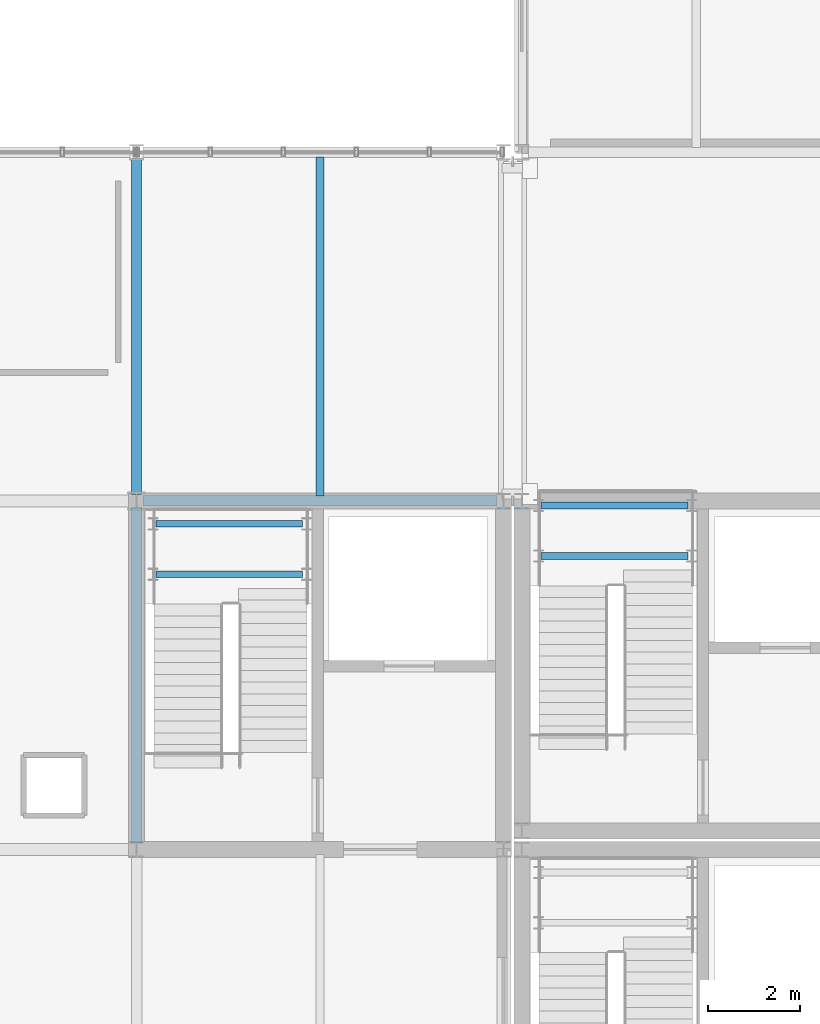
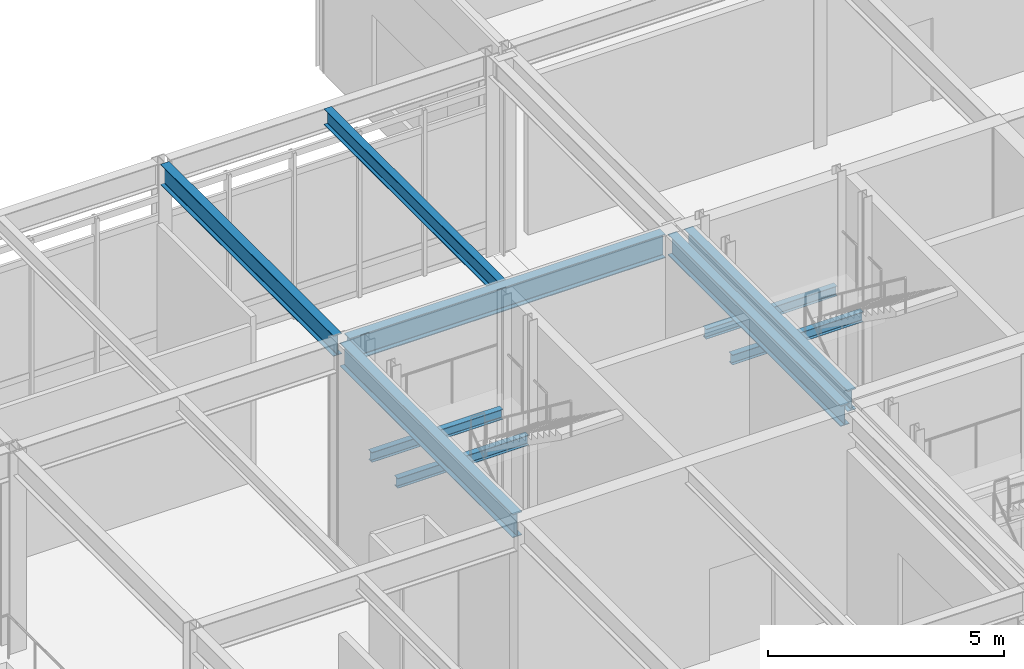
# One storey, part 47 of 94: 10 beams.
"""IFC4 building model written with IfcOpenShell, lengths in metres."""

import ifcopenshell
import ifcopenshell.guid

model = None  # the IFC model being written
_history = None  # IfcOwnerHistory: only IFC2X3 demands one
_inside = {}  # id of a spatial element -> (the spatial element, [elements in it])
_under = {}  # id of a project, library or spatial element -> (it, [spatial elements below it])
_declared = {}  # id of a project -> (the project, [libraries it declares])
_typed = {}  # id of a type object -> (the type object, [elements of that type])
_made_of = {}  # id of a material, layer set ... -> (it, [elements and type objects made of it])


def new_model(schema):
    """Start an empty IFC model of exactly this schema.

    Asked for "IFC4X3", IfcOpenShell would pick the latest addendum, in which some entities
    have other attributes; the version numbers below select the first issue.
    IFC2X3 requires an IfcOwnerHistory on every rooted entity: one is made here for all.
    """
    global model, _history
    if schema == "IFC4X3":
        model = ifcopenshell.file(schema_version=(4, 3, 0, 0))
    else:
        model = ifcopenshell.file(schema=schema)
    _inside.clear()
    _under.clear()
    _declared.clear()
    _typed.clear()
    _made_of.clear()
    _history = None
    if model.schema == "IFC2X3":
        org = make("IfcOrganization", Name="unknown")
        user = make(
            "IfcPersonAndOrganization",
            ThePerson=make("IfcPerson", FamilyName="unknown"),
            TheOrganization=org,
        )
        app = make(
            "IfcApplication",
            ApplicationDeveloper=org,
            Version="unknown",
            ApplicationFullName="unknown",
            ApplicationIdentifier="unknown",
        )
        _history = make(
            "IfcOwnerHistory",
            OwningUser=user,
            OwningApplication=app,
            ChangeAction="ADDED",
            CreationDate=0,
        )
    return model


def make(cls, **values):
    """One entity of the class cls with the attributes given. An attribute that is None is left unset."""
    return model.create_entity(
        cls, **{name: value for name, value in values.items() if value is not None}
    )


def rooted(cls, **values):
    """An entity with a GlobalId (a new one), such as an element, a storey or a relation."""
    return make(cls, GlobalId=ifcopenshell.guid.new(), OwnerHistory=_history, **values)


def si_unit(unit_type, name, prefix=None):
    """IfcSIUnit, for example si_unit("LENGTHUNIT", "METRE", prefix="MILLI")."""
    return make("IfcSIUnit", UnitType=unit_type, Prefix=prefix, Name=name)


def assignment(units):
    """IfcUnitAssignment: the units of a project."""
    return None if units is None else make("IfcUnitAssignment", Units=units)


def point(xyz):
    """IfcCartesianPoint."""
    return None if xyz is None else make("IfcCartesianPoint", Coordinates=xyz)


def direction(xyz):
    """IfcDirection."""
    return None if xyz is None else make("IfcDirection", DirectionRatios=xyz)


def frame(location, z_axis=None, x_axis=None):
    """IfcAxis2Placement3D, a coordinate frame: its origin and axes. An axis left out is left unset."""
    return make(
        "IfcAxis2Placement3D",
        Location=point(location),
        Axis=direction(z_axis),
        RefDirection=direction(x_axis),
    )


def frame_2d(location, x_axis=None):
    """IfcAxis2Placement2D, a coordinate frame in the plane: its origin and x axis."""
    return make(
        "IfcAxis2Placement2D", Location=point(location), RefDirection=direction(x_axis)
    )


def origin():
    """The frame at (0, 0, 0) with its axes left unset."""
    return frame((0.0, 0.0, 0.0))


def origin_2d():
    """The frame at (0, 0) in the plane with its x axis left unset."""
    return frame_2d((0.0, 0.0))


def place(relative_to, where):
    """IfcLocalPlacement: puts the frame where relative to a parent placement (None: the world)."""
    return make(
        "IfcLocalPlacement", PlacementRelTo=relative_to, RelativePlacement=where
    )


def context(
    kind, dimensions, precision=None, world=None, true_north=None, identifier=None
):
    """IfcGeometricRepresentationContext, for example the 3D "Model" context."""
    return make(
        "IfcGeometricRepresentationContext",
        ContextIdentifier=identifier,
        ContextType=kind,
        CoordinateSpaceDimension=dimensions,
        Precision=precision,
        WorldCoordinateSystem=world,
        TrueNorth=true_north,
    )


def subcontext(parent, identifier, kind, view, scale=None):
    """IfcGeometricRepresentationSubContext, for example "Body" below "Model"."""
    return make(
        "IfcGeometricRepresentationSubContext",
        ContextIdentifier=identifier,
        ContextType=kind,
        ParentContext=parent,
        TargetScale=scale,
        TargetView=view,
    )


def project(units=None, contexts=None):
    """IfcProject with its units and contexts."""
    return rooted(
        "IfcProject",
        Name="project",
        RepresentationContexts=contexts,
        UnitsInContext=assignment(units),
    )


def spatial(cls, under=None, at=None, **own):
    """A site, building, storey or space (cls), placed at a placement, below another one or the project."""
    s = rooted(cls, ObjectPlacement=at, **own)
    if under is not None:
        _under.setdefault(under.id(), (under, []))[1].append(s)
    return s


def profile(cls, at=None, kind="AREA", **sizes):
    """A parametric profile (cls). Its sizes go by their IFC names, for example OverallWidth=200.0."""
    return make(cls, ProfileType=kind, Position=at, **sizes)


def i_section(**sizes):
    """IfcIShapeProfileDef."""
    return profile("IfcIShapeProfileDef", **sizes)


def extrude(swept, where, along, depth):
    """IfcExtrudedAreaSolid: the profile swept, set in the frame where, extruded along a direction by depth."""
    return make(
        "IfcExtrudedAreaSolid",
        SweptArea=swept,
        Position=where,
        ExtrudedDirection=direction(along),
        Depth=depth,
    )


def shape(context_of_items, identifier, shape_type, items):
    """IfcShapeRepresentation: the items that make up one representation, for example the "Body"."""
    return make(
        "IfcShapeRepresentation",
        ContextOfItems=context_of_items,
        RepresentationIdentifier=identifier,
        RepresentationType=shape_type,
        Items=items,
    )


def material(Name=None, Category=None):
    """IfcMaterial."""
    return make("IfcMaterial", Name=Name, Category=Category)


def material_profile(
    of_material, cross_section, Name=None, Category=None, Priority=None
):
    """IfcMaterialProfile: a cross section and its material."""
    return make(
        "IfcMaterialProfile",
        Name=Name,
        Material=of_material,
        Profile=cross_section,
        Priority=Priority,
        Category=Category,
    )


def profile_set(profiles, Name=None, composite=None):
    """IfcMaterialProfileSet."""
    return make(
        "IfcMaterialProfileSet",
        Name=Name,
        MaterialProfiles=profiles,
        CompositeProfile=composite,
    )


def made_of(thing, what):
    """Note that an element or type object is made of a material, layer set ...; save() writes the relation."""
    if what is not None:
        _made_of.setdefault(what.id(), (what, []))[1].append(thing)
    return thing


def type_object(cls, material=None, **own):
    """A type object (cls), such as IfcWallType, which elements share."""
    return made_of(rooted(cls, **own), material)


def element(
    cls,
    number,
    at=None,
    inside=None,
    cuts=None,
    type_object=None,
    material=None,
    context=None,
    identifier="Body",
    shape_type=None,
    held_by="IfcProductDefinitionShape",
    body=None,
    shapes=None,
    **own,
):
    """One element of the class cls, such as IfcWall. Its Tag is "e" and its number.

    at: its placement. inside: the storey or other place that contains it. cuts: it is an
    opening in that element (IfcRelVoidsElement). A single representation is given by context,
    identifier, shape_type and body (its items); several are given by shapes. held_by: the class
    of the entity that holds the representations. save() writes the other relations.
    """
    e = rooted(cls, Tag="e%d" % number, ObjectPlacement=at, **own)
    if body is not None:
        shapes = [shape(context, identifier, shape_type, body)]
    if shapes is not None:
        e.Representation = make(held_by, Representations=shapes)
    if inside is not None:
        _inside.setdefault(inside.id(), (inside, []))[1].append(e)
    if cuts is not None:
        rooted(
            "IfcRelVoidsElement", RelatingBuildingElement=cuts, RelatedOpeningElement=e
        )
    if type_object is not None:
        _typed.setdefault(type_object.id(), (type_object, []))[1].append(e)
    return made_of(e, material)


def aggregate(whole, parts):
    """IfcRelAggregates: a whole, such as a stair, and the parts it consists of."""
    return rooted("IfcRelAggregates", RelatingObject=whole, RelatedObjects=parts)


def save(model, path):
    """Write the relations noted so far, then the file.

    IfcRelAggregates (storeys below a building ...), IfcRelContainedInSpatialStructure (elements
    in a storey), IfcRelDefinesByType, IfcRelAssociatesMaterial and IfcRelDeclares: one each for
    every whole, place, type object, material and project.
    """
    for whole, parts in _under.values():
        aggregate(whole, parts)
    for where, things in _inside.values():
        rooted(
            "IfcRelContainedInSpatialStructure",
            RelatedElements=things,
            RelatingStructure=where,
        )
    for kind, things in _typed.values():
        rooted("IfcRelDefinesByType", RelatedObjects=things, RelatingType=kind)
    for what, things in _made_of.values():
        rooted("IfcRelAssociatesMaterial", RelatedObjects=things, RelatingMaterial=what)
    for by, libraries in _declared.values():
        rooted("IfcRelDeclares", RelatingContext=by, RelatedDefinitions=libraries)
    model.write(path)


model = new_model("IFC4")

# Units and contexts
model_context = context("Model", 3, precision=1e-05, world=origin(), true_north=direction((0.0, 1.0)))
body_context = subcontext(model_context, "Body", "Model", "MODEL_VIEW")
ifc_project = project(units=[si_unit("LENGTHUNIT", "METRE"), si_unit("AREAUNIT", "SQUARE_METRE"), si_unit("VOLUMEUNIT", "CUBIC_METRE"), si_unit("PLANEANGLEUNIT", "RADIAN"), si_unit("MASSUNIT", "GRAM", prefix="KILO")], contexts=[model_context])

# Site, building, storey
site_placement = place(None, origin())
site = spatial("IfcSite", under=ifc_project, at=site_placement, CompositionType="ELEMENT")
building_placement = place(site_placement, origin())
building = spatial("IfcBuilding", under=site, at=building_placement, Name="Zulena Civic Courthouse", CompositionType="ELEMENT")
storey_placement = place(building_placement, frame((0.0, 0.0, 5.39990234375)))
storey = spatial("IfcBuildingStorey", under=building, at=storey_placement, Name="L01", CompositionType="ELEMENT", Elevation=5.39990234375)

# Beams
ifc_material = material(Name="Steel ASTM A992 Grade 50", Category="steel")
ifc_material_profile_1 = material_profile(ifc_material, i_section(OverallWidth=0.22802734375, OverallDepth=0.60693359375, WebThickness=0.01123046875, FlangeThickness=0.017333984375, FilletRadius=0.0126953125, at=origin_2d()), Name="W24X76")
ifc_profile_set_1 = profile_set([ifc_material_profile_1], Name="Steel ASTM A992 Grade 50")
beam_type_1 = type_object("IfcBeamType", Name="Girder_W24X76", PredefinedType="BEAM", material=ifc_profile_set_1)
beam_1_placement = place(storey_placement, frame((116.0, 30.544921875, 4.881591796875), z_axis=(0.0, 1.0, 0.0), x_axis=(-1.0, 0.0, 0.0)))
element("IfcBeam", 1, at=beam_1_placement, inside=storey, type_object=beam_type_1, Name="beam:Y:V4:L01:116.0:30.4_38.0", PredefinedType="BEAM", context=body_context, shape_type="SweptSolid", body=[
    extrude(i_section(OverallWidth=0.22802734375, OverallDepth=0.60693359375, WebThickness=0.01123046875, FlangeThickness=0.017333984375, FilletRadius=0.0126953125, at=origin_2d()), origin(), (0.0, 0.0, 1.0), 7.31005859375),
])
ifc_material_profile_2 = material_profile(ifc_material, i_section(OverallWidth=0.14599609375, OverallDepth=0.258056640625, WebThickness=0.006103515625, FlangeThickness=0.009033203125, FilletRadius=0.007568359375, at=origin_2d()), Name="W10X22")
ifc_profile_set_2 = profile_set([ifc_material_profile_2], Name="Steel ASTM A992 Grade 50")
beam_type_2 = type_object("IfcBeamType", Name="Joist_W10X22", PredefinedType="JOIST", material=ifc_profile_set_2)
for number, where, z_axis, x_axis, name in (
    (2, (124.820068359375, 36.800048828125, 2.291015625), (1.0, 0.0, 0.0), (0.0, 1.0, 0.0), "beam:lnd:K3A:L01:0"),
    (3, (124.820068359375, 37.89990234375, 2.291015625), (1.0, 0.0, 0.0), (0.0, 1.0, 0.0), "beam:lnd:K3A:L01:1"),
):
    element("IfcBeam", number, at=place(storey_placement, frame(where, z_axis=z_axis, x_axis=x_axis)), inside=storey, type_object=beam_type_2, Name=name, PredefinedType="JOIST", context=body_context, shape_type="SweptSolid", body=[
        extrude(i_section(OverallWidth=0.14599609375, OverallDepth=0.258056640625, WebThickness=0.006103515625, FlangeThickness=0.009033203125, FilletRadius=0.007568359375, at=origin_2d()), origin(), (0.0, 0.0, 1.0), 3.199951171875),
    ])
for number, where, z_axis, x_axis, name in (
    (4, (116.419921875, 36.39990234375, 2.291015625), (1.0, 0.0, 0.0), (0.0, 1.0, 0.0), "beam:lnd:K4B:L01:0"),
    (5, (116.419921875, 37.5, 2.291015625), (1.0, 0.0, 0.0), (0.0, 1.0, 0.0), "beam:lnd:K4B:L01:1"),
):
    element("IfcBeam", number, at=place(storey_placement, frame(where, z_axis=z_axis, x_axis=x_axis)), inside=storey, type_object=beam_type_2, Name=name, PredefinedType="JOIST", context=body_context, shape_type="SweptSolid", body=[
        extrude(i_section(OverallWidth=0.14599609375, OverallDepth=0.258056640625, WebThickness=0.006103515625, FlangeThickness=0.009033203125, FilletRadius=0.007568359375, at=origin_2d()), origin(), (0.0, 0.0, 1.0), 3.2001953125),
    ])
ifc_material_profile_3 = material_profile(ifc_material, i_section(OverallWidth=0.180908203125, OverallDepth=0.4169921875, WebThickness=0.010986328125, FlangeThickness=0.018310546875, FilletRadius=0.01025390625, at=origin_2d()), Name="W16X57")
ifc_profile_set_3 = profile_set([ifc_material_profile_3], Name="Steel ASTM A992 Grade 50")
beam_type_3 = type_object("IfcBeamType", Name="Joist_W16X57", PredefinedType="JOIST", material=ifc_profile_set_3)
beam_2_placement = place(storey_placement, frame((120.0, 38.10498046875, 4.9765625), z_axis=(0.0, 1.0, 0.0), x_axis=(-1.0, 0.0, 0.0)))
element("IfcBeam", 6, at=beam_2_placement, inside=storey, type_object=beam_type_3, Name="joist:V4:L01:120.00:38.0_45.6", PredefinedType="JOIST", context=body_context, shape_type="SweptSolid", body=[
    extrude(i_section(OverallWidth=0.180908203125, OverallDepth=0.4169921875, WebThickness=0.010986328125, FlangeThickness=0.018310546875, FilletRadius=0.01025390625, at=origin_2d()), origin(), (0.0, 0.0, 1.0), 7.39013671875),
])
ifc_material_profile_4 = material_profile(ifc_material, i_section(OverallWidth=0.2099609375, OverallDepth=0.537109375, WebThickness=0.010986328125, FlangeThickness=0.017333984375, FilletRadius=0.0126953125, at=origin_2d()), Name="W21X68")
ifc_profile_set_4 = profile_set([ifc_material_profile_4], Name="Steel ASTM A992 Grade 50")
beam_type_4 = type_object("IfcBeamType", Name="Spandrel_W21X68", PredefinedType="SPANDREL", material=ifc_profile_set_4)
beam_3_placement = place(storey_placement, frame((124.39990234375, 30.945068359375, 4.91650390625), z_axis=(0.0, 1.0, 0.0), x_axis=(-1.0, 0.0, 0.0)))
element("IfcBeam", 7, at=beam_3_placement, inside=storey, type_object=beam_type_4, Name="beam:Y:V3:L01:124.4:30.8_38.0", PredefinedType="SPANDREL", context=body_context, shape_type="SweptSolid", body=[
    extrude(i_section(OverallWidth=0.2099609375, OverallDepth=0.537109375, WebThickness=0.010986328125, FlangeThickness=0.017333984375, FilletRadius=0.0126953125, at=origin_2d()), origin(), (0.0, 0.0, 1.0), 6.909912109375),
])
for number, where, z_axis, x_axis, name in (
    (8, (116.0, 38.14501953125, 4.91650390625), (0.0, 1.0, 0.0), (-1.0, 0.0, 0.0), "beam:Y:V4:L01:116.0:38.0_45.6"),
    (9, (124.0, 30.544921875, 4.91650390625), (0.0, 1.0, 0.0), (-1.0, 0.0, 0.0), "beam:Y:V4:L01:124.0:30.4_38.0"),
):
    element("IfcBeam", number, at=place(storey_placement, frame(where, z_axis=z_axis, x_axis=x_axis)), inside=storey, type_object=beam_type_4, Name=name, PredefinedType="SPANDREL", context=body_context, shape_type="SweptSolid", body=[
        extrude(i_section(OverallWidth=0.2099609375, OverallDepth=0.537109375, WebThickness=0.010986328125, FlangeThickness=0.017333984375, FilletRadius=0.0126953125, at=origin_2d()), origin(), (0.0, 0.0, 1.0), 7.31005859375),
    ])
ifc_material_profile_5 = material_profile(ifc_material, i_section(OverallWidth=0.22998046875, OverallDepth=0.616943359375, WebThickness=0.01318359375, FlangeThickness=0.022216796875, FilletRadius=0.0126953125, at=origin_2d()), Name="W24X94")
ifc_profile_set_5 = profile_set([ifc_material_profile_5], Name="Steel ASTM A992 Grade 50")
beam_type_5 = type_object("IfcBeamType", Name="Spandrel_W24X94", PredefinedType="SPANDREL", material=ifc_profile_set_5)
beam_4_placement = place(storey_placement, frame((116.14501953125, 38.0, 4.876708984375), z_axis=(1.0, 0.0, 0.0), x_axis=(0.0, 1.0, 0.0)))
element("IfcBeam", 10, at=beam_4_placement, inside=storey, type_object=beam_type_5, Name="beam:X:V4:L01:38.0:116.0_124.0", PredefinedType="SPANDREL", context=body_context, shape_type="SweptSolid", body=[
    extrude(i_section(OverallWidth=0.22998046875, OverallDepth=0.616943359375, WebThickness=0.01318359375, FlangeThickness=0.022216796875, FilletRadius=0.0126953125, at=origin_2d()), origin(), (0.0, 0.0, 1.0), 7.7099609375),
])

save(model, "model.ifc")
